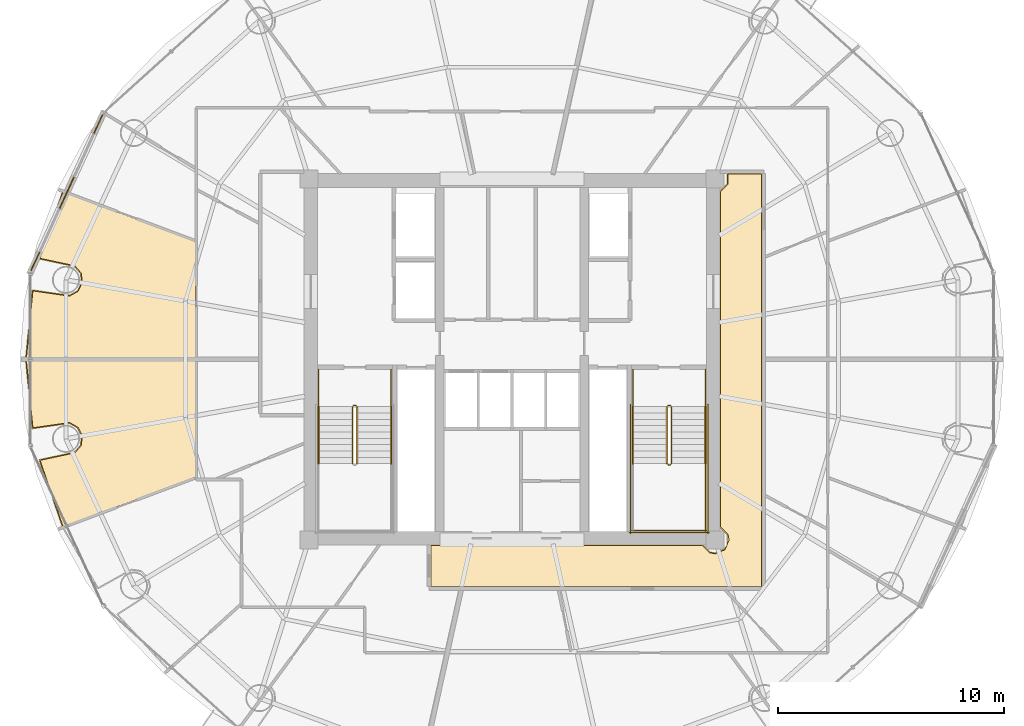
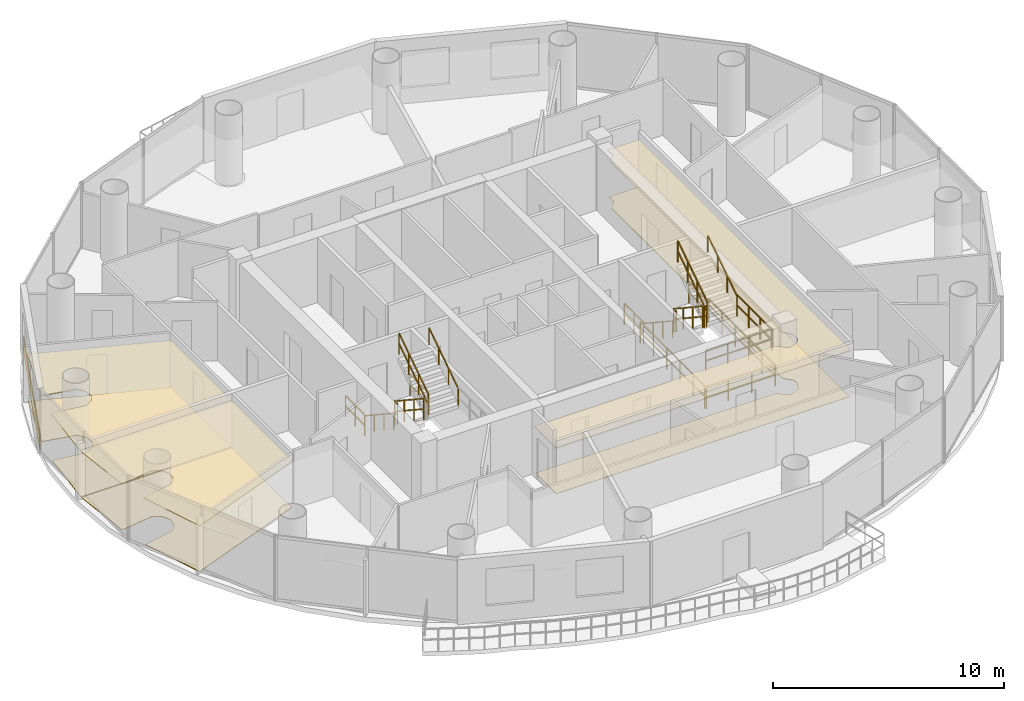
# One storey, part 25 of 26: 20 railings, 7 coverings.
"""IFC4 building model written with IfcOpenShell, lengths in metres."""

from ifc_helpers import new_model, si_unit, direction, frame, origin, origin_2d, place, context, subcontext, project, spatial, polyline, rectangle, outline, extrude, source, transform, mapped, material, layer, layer_set, type_object, element, save


model = new_model("IFC4")

# Units and contexts
model_context = context("Model", 3, precision=1e-05, world=origin(), true_north=direction((-0.2419218956, 0.970295726276)))
body_context = subcontext(model_context, "Body", "Model", "MODEL_VIEW")
ifc_project = project(units=[si_unit("LENGTHUNIT", "METRE"), si_unit("AREAUNIT", "SQUARE_METRE"), si_unit("VOLUMEUNIT", "CUBIC_METRE"), si_unit("PLANEANGLEUNIT", "RADIAN"), si_unit("MASSUNIT", "GRAM", prefix="KILO")], contexts=[model_context])

# Site, building, storey
site_placement = place(None, origin())
site = spatial("IfcSite", under=ifc_project, at=site_placement, CompositionType="ELEMENT")
building_placement = place(site_placement, origin())
building = spatial("IfcBuilding", under=site, at=building_placement, Name="Cobrevalo Terracotta Tower", CompositionType="ELEMENT")
storey_placement = place(building_placement, frame((0.0, 0.0, 217.10009765625)))
storey = spatial("IfcBuildingStorey", under=building, at=storey_placement, Name="L57", CompositionType="ELEMENT", Elevation=217.10009765625)

# Coverings
ifc_material_1 = material(Name="Engineered Brazilian hardwood flooring", Category="wood")
ifc_layer_1 = layer(ifc_material_1, 0.028076171875)
ifc_layer_set_1 = layer_set([ifc_layer_1], Name="Engineered Brazilian hardwood flooring")
covering_type_1 = type_object("IfcCoveringType", Name="Engineered Hardwood Suite Flooring 28", PredefinedType="FLOORING", material=ifc_layer_set_1)
covering_1_placement = place(storey_placement, origin())
element("IfcCovering", 1, at=covering_1_placement, inside=storey, type_object=covering_type_1, Name="Flat L57B Penthouse Family Lounge floor finish", PredefinedType="FLOORING", context=body_context, shape_type="SweptSolid", body=[
    extrude(outline(polyline([(23.985107421875, 32.024658203125), (23.985107421875, 26.820068359375), (16.4814453125, 26.820068359375), (16.7734375, 29.83056640625), (18.39599609375, 29.5986328125), (18.770751953125, 29.80859375), (18.9658203125, 30.191650390625), (18.9150390625, 30.6181640625), (18.635986328125, 30.94482421875), (17.09228515625, 31.277099609375), (18.114501953125, 34.221923828125), (23.985107421875, 32.024658203125)])), origin(), (0.0, 0.0, 1.0), 0.02978515625),
])
covering_2_placement = place(storey_placement, origin())
element("IfcCovering", 2, at=covering_2_placement, inside=storey, type_object=covering_type_1, Name="Flat L57C Living and Dining Room floor finish", PredefinedType="FLOORING", context=body_context, shape_type="SweptSolid", body=[
    extrude(outline(polyline([(18.114501953125, 19.3779296875), (17.09228515625, 22.322998046875), (18.635986328125, 22.655029296875), (18.9150390625, 22.981689453125), (18.9658203125, 23.408447265625), (18.770751953125, 23.791259765625), (18.39599609375, 24.00146484375), (16.7734375, 23.76953125), (16.4814453125, 26.780029296875), (23.985107421875, 26.780029296875), (23.985107421875, 21.575439453125), (18.114501953125, 19.3779296875)])), origin(), (0.0, 0.0, 1.0), 0.02978515625),
])
ifc_material_2 = material(Name="Honed terracotta and granite tile", Category="masonry")
ifc_layer_2 = layer(ifc_material_2, 0.034912109375)
ifc_layer_set_2 = layer_set([ifc_layer_2], Name="Honed terracotta and granite tile")
covering_type_2 = type_object("IfcCoveringType", Name="Honed Terracotta & Granite Interior Flooring 35", PredefinedType="FLOORING", material=ifc_layer_set_2)
covering_3_placement = place(storey_placement, origin())
element("IfcCovering", 3, at=covering_3_placement, inside=storey, type_object=covering_type_2, Name="L57 Residential Floor Corridor 1 floor finish", PredefinedType="FLOORING", context=body_context, shape_type="SweptSolid", body=[
    extrude(outline(polyline([(34.419921875, 18.554931640625), (46.431884765625, 18.554931640625), (46.7626953125, 18.226806640625), (47.0, 18.1796875), (47.438720703125, 18.361328125), (47.620361328125, 18.800048828125), (47.5732421875, 19.037353515625), (47.2451171875, 19.3681640625), (47.2451171875, 34.23193359375), (47.5732421875, 34.5625), (47.57958984375, 35.0048828125), (49.054931640625, 35.0048828125), (49.054931640625, 16.7451171875), (34.419921875, 16.7451171875), (34.419921875, 18.554931640625)])), origin(), (0.0, 0.0, 1.0), 0.02978515625),
])
ifc_material_3 = material(Name="Acoustic perforated gypsum ceiling", Category="gypsum")
ifc_layer_3 = layer(ifc_material_3, 0.050048828125)
ifc_layer_set_3 = layer_set([ifc_layer_3], Name="Acoustic perforated gypsum ceiling")
covering_type_3 = type_object("IfcCoveringType", Name="Perforated Acoustic Gypsum Ceiling 50", PredefinedType="CEILING", material=ifc_layer_set_3)
covering_4_placement = place(storey_placement, frame((0.0, 0.0, 2.44482421875)))
element("IfcCovering", 4, at=covering_4_placement, inside=storey, type_object=covering_type_3, Name="L57 Residential Floor Corridor 1 acoustic ceiling", PredefinedType="CEILING", context=body_context, shape_type="SweptSolid", body=[
    extrude(outline(polyline([(34.375, 18.60009765625), (46.4560546875, 18.60009765625), (46.780029296875, 18.269287109375), (47.0, 18.2255859375), (47.40625, 18.393798828125), (47.53076171875, 18.580078125), (47.53076171875, 19.019775390625), (47.199951171875, 19.343994140625), (47.199951171875, 34.255859375), (47.53076171875, 34.580078125), (47.524658203125, 35.050048828125), (49.10009765625, 35.050048828125), (49.10009765625, 16.699951171875), (34.375, 16.699951171875), (34.375, 18.60009765625)])), origin(), (0.0, 0.0, 1.0), 0.050048828125),
])
covering_5_placement = place(storey_placement, frame((0.0, 0.0, 2.44482421875)))
element("IfcCovering", 5, at=covering_5_placement, inside=storey, type_object=covering_type_3, Name="Flat L57B Penthouse Family Lounge acoustic ceiling", PredefinedType="CEILING", context=body_context, shape_type="SweptSolid", body=[
    extrude(outline(polyline([(24.030029296875, 32.055908203125), (24.030029296875, 26.77490234375), (16.43310546875, 26.77490234375), (16.73876953125, 29.88232421875), (18.386474609375, 29.642578125), (18.73828125, 29.83984375), (18.92138671875, 30.199462890625), (18.873779296875, 30.60009765625), (18.611572265625, 30.90673828125), (17.038330078125, 31.240966796875), (18.088134765625, 34.280029296875), (24.030029296875, 32.055908203125)])), origin(), (0.0, 0.0, 1.0), 0.050048828125),
])
covering_6_placement = place(storey_placement, frame((0.0, 0.0, 2.44482421875)))
element("IfcCovering", 6, at=covering_6_placement, inside=storey, type_object=covering_type_3, Name="Flat L57C Living and Dining Room acoustic ceiling", PredefinedType="CEILING", context=body_context, shape_type="SweptSolid", body=[
    extrude(outline(polyline([(18.088134765625, 19.320068359375), (17.038330078125, 22.359130859375), (18.611572265625, 22.693359375), (18.873779296875, 23.0), (18.92138671875, 23.400634765625), (18.73828125, 23.760009765625), (18.386474609375, 23.957275390625), (16.73876953125, 23.717529296875), (16.43310546875, 26.824951171875), (24.030029296875, 26.824951171875), (24.030029296875, 21.544189453125), (18.088134765625, 19.320068359375)])), origin(), (0.0, 0.0, 1.0), 0.050048828125),
])

# Railings
ifc_material_4 = material(Name="Brushed stainless steel", Category="steel")
railing_type_1 = type_object("IfcRailingType", Name="Stainless Steel Stair Handrail 900", PredefinedType="HANDRAIL", material=ifc_material_4)
railing_1_placement = place(storey_placement, frame((29.425048828125, 24.699951171875, 0.184814453125)))
element("IfcRailing", 7, at=railing_1_placement, inside=storey, type_object=railing_type_1, Name="L57 ST-1 stair handrail 1", PredefinedType="HANDRAIL", context=body_context, shape_type="SweptSolid", body=[
    extrude(rectangle(XDim=0.048095703125, YDim=0.048095703125, at=origin_2d()), frame((0.0, 0.0, 0.8759765625), z_axis=(0.0, -0.834331337432, 0.55126329406), x_axis=(1.0, 0.0, 0.0)), (0.0, 0.0, 1.0), 3.0205078125),
    extrude(rectangle(XDim=0.0419921875, YDim=0.0419921875, at=origin_2d()), origin(), (0.0, 0.0, 1.0), 0.851806640625),
    extrude(rectangle(XDim=0.0419921875, YDim=0.0419921875, at=origin_2d()), frame((0.0, -0.840087890625, 0.554931640625)), (0.0, 0.0, 1.0), 0.851806640625),
    extrude(rectangle(XDim=0.0419921875, YDim=0.0419921875, at=origin_2d()), frame((0.0, -1.679931640625, 1.110107421875)), (0.0, 0.0, 1.0), 0.851806640625),
    extrude(rectangle(XDim=0.0419921875, YDim=0.0419921875, at=origin_2d()), frame((0.0, -2.52001953125, 1.6650390625)), (0.0, 0.0, 1.0), 0.851806640625),
])
railing_2_placement = place(storey_placement, frame((32.64501953125, 22.179931640625, 2.034912109375)))
element("IfcRailing", 8, at=railing_2_placement, inside=storey, type_object=railing_type_1, Name="L57 ST-1 stair handrail 2", PredefinedType="HANDRAIL", context=body_context, shape_type="SweptSolid", body=[
    extrude(rectangle(XDim=0.048095703125, YDim=0.048095703125, at=origin_2d()), frame((0.0, 0.0, 0.8759765625), z_axis=(0.0, 0.834331337432, 0.55126329406), x_axis=(-1.0, 0.0, 0.0)), (0.0, 0.0, 1.0), 3.0205078125),
    extrude(rectangle(XDim=0.0419921875, YDim=0.0419921875, at=origin_2d()), origin(), (0.0, 0.0, 1.0), 0.851806640625),
    extrude(rectangle(XDim=0.0419921875, YDim=0.0419921875, at=origin_2d()), frame((0.0, 0.840087890625, 0.554931640625)), (0.0, 0.0, 1.0), 0.851806640625),
    extrude(rectangle(XDim=0.0419921875, YDim=0.0419921875, at=origin_2d()), frame((0.0, 1.679931640625, 1.110107421875)), (0.0, 0.0, 1.0), 0.851806640625),
    extrude(rectangle(XDim=0.0419921875, YDim=0.0419921875, at=origin_2d()), frame((0.0, 2.52001953125, 1.6650390625)), (0.0, 0.0, 1.0), 0.851806640625),
])
railing_3_placement = place(storey_placement, frame((43.35498046875, 24.699951171875, 0.184814453125)))
element("IfcRailing", 9, at=railing_3_placement, inside=storey, type_object=railing_type_1, Name="L57 ST-2 stair handrail 1", PredefinedType="HANDRAIL", context=body_context, shape_type="SweptSolid", body=[
    extrude(rectangle(XDim=0.048095703125, YDim=0.048095703125, at=origin_2d()), frame((0.0, 0.0, 0.8759765625), z_axis=(0.0, -0.834331337432, 0.55126329406), x_axis=(1.0, 0.0, 0.0)), (0.0, 0.0, 1.0), 3.0205078125),
    extrude(rectangle(XDim=0.0419921875, YDim=0.0419921875, at=origin_2d()), origin(), (0.0, 0.0, 1.0), 0.851806640625),
    extrude(rectangle(XDim=0.0419921875, YDim=0.0419921875, at=origin_2d()), frame((0.0, -0.840087890625, 0.554931640625)), (0.0, 0.0, 1.0), 0.851806640625),
    extrude(rectangle(XDim=0.0419921875, YDim=0.0419921875, at=origin_2d()), frame((0.0, -1.679931640625, 1.110107421875)), (0.0, 0.0, 1.0), 0.851806640625),
    extrude(rectangle(XDim=0.0419921875, YDim=0.0419921875, at=origin_2d()), frame((0.0, -2.52001953125, 1.6650390625)), (0.0, 0.0, 1.0), 0.851806640625),
])
railing_4_placement = place(storey_placement, frame((46.574951171875, 22.179931640625, 2.034912109375)))
element("IfcRailing", 10, at=railing_4_placement, inside=storey, type_object=railing_type_1, Name="L57 ST-2 stair handrail 2", PredefinedType="HANDRAIL", context=body_context, shape_type="SweptSolid", body=[
    extrude(rectangle(XDim=0.048095703125, YDim=0.048095703125, at=origin_2d()), frame((0.0, 0.0, 0.8759765625), z_axis=(0.0, 0.834331337432, 0.55126329406), x_axis=(-1.0, 0.0, 0.0)), (0.0, 0.0, 1.0), 3.0205078125),
    extrude(rectangle(XDim=0.0419921875, YDim=0.0419921875, at=origin_2d()), origin(), (0.0, 0.0, 1.0), 0.851806640625),
    extrude(rectangle(XDim=0.0419921875, YDim=0.0419921875, at=origin_2d()), frame((0.0, 0.840087890625, 0.554931640625)), (0.0, 0.0, 1.0), 0.851806640625),
    extrude(rectangle(XDim=0.0419921875, YDim=0.0419921875, at=origin_2d()), frame((0.0, 1.679931640625, 1.110107421875)), (0.0, 0.0, 1.0), 0.851806640625),
    extrude(rectangle(XDim=0.0419921875, YDim=0.0419921875, at=origin_2d()), frame((0.0, 2.52001953125, 1.6650390625)), (0.0, 0.0, 1.0), 0.851806640625),
])
ifc_material_5 = material(Name="Painted galvanized steel", Category="steel")
railing_type_2 = type_object("IfcRailingType", Name="Stair Well Guard Balustrade 1150", PredefinedType="GUARDRAIL", material=ifc_material_5)
railing_5_placement = place(storey_placement, frame((30.925048828125, 24.699951171875, 0.184814453125)))
element("IfcRailing", 11, at=railing_5_placement, inside=storey, type_object=railing_type_2, Name="L57 ST-1 stair guard 1", PredefinedType="GUARDRAIL", context=body_context, shape_type="SweptSolid", body=[
    extrude(rectangle(XDim=0.048095703125, YDim=0.048095703125, at=origin_2d()), frame((0.0, 0.0, 1.1259765625), z_axis=(0.0, -0.834331337432, 0.55126329406), x_axis=(1.0, 0.0, 0.0)), (0.0, 0.0, 1.0), 3.0205078125),
    extrude(rectangle(XDim=0.048095703125, YDim=0.048095703125, at=origin_2d()), frame((0.0, 0.0, 0.574951171875), z_axis=(0.0, -0.834331337432, 0.55126329406), x_axis=(1.0, 0.0, 0.0)), (0.0, 0.0, 1.0), 3.0205078125),
    extrude(rectangle(XDim=0.0419921875, YDim=0.0419921875, at=origin_2d()), origin(), (0.0, 0.0, 1.0), 1.101806640625),
    extrude(rectangle(XDim=0.0419921875, YDim=0.0419921875, at=origin_2d()), frame((0.0, -0.840087890625, 0.554931640625)), (0.0, 0.0, 1.0), 1.101806640625),
    extrude(rectangle(XDim=0.0419921875, YDim=0.0419921875, at=origin_2d()), frame((0.0, -1.679931640625, 1.110107421875)), (0.0, 0.0, 1.0), 1.101806640625),
    extrude(rectangle(XDim=0.0419921875, YDim=0.0419921875, at=origin_2d()), frame((0.0, -2.52001953125, 1.6650390625)), (0.0, 0.0, 1.0), 1.101806640625),
])
railing_6_placement = place(storey_placement, frame((31.14501953125, 22.179931640625, 2.034912109375)))
element("IfcRailing", 12, at=railing_6_placement, inside=storey, type_object=railing_type_2, Name="L57 ST-1 stair guard 6", PredefinedType="GUARDRAIL", context=body_context, shape_type="SweptSolid", body=[
    extrude(rectangle(XDim=0.048095703125, YDim=0.048095703125, at=origin_2d()), frame((0.0, 0.0, 1.1259765625), z_axis=(0.0, 0.834331337432, 0.55126329406), x_axis=(-1.0, 0.0, 0.0)), (0.0, 0.0, 1.0), 3.0205078125),
    extrude(rectangle(XDim=0.048095703125, YDim=0.048095703125, at=origin_2d()), frame((0.0, 0.0, 0.574951171875), z_axis=(0.0, 0.834331337432, 0.55126329406), x_axis=(-1.0, 0.0, 0.0)), (0.0, 0.0, 1.0), 3.0205078125),
    extrude(rectangle(XDim=0.0419921875, YDim=0.0419921875, at=origin_2d()), origin(), (0.0, 0.0, 1.0), 1.101806640625),
    extrude(rectangle(XDim=0.0419921875, YDim=0.0419921875, at=origin_2d()), frame((0.0, 0.840087890625, 0.554931640625)), (0.0, 0.0, 1.0), 1.101806640625),
    extrude(rectangle(XDim=0.0419921875, YDim=0.0419921875, at=origin_2d()), frame((0.0, 1.679931640625, 1.110107421875)), (0.0, 0.0, 1.0), 1.101806640625),
    extrude(rectangle(XDim=0.0419921875, YDim=0.0419921875, at=origin_2d()), frame((0.0, 2.52001953125, 1.6650390625)), (0.0, 0.0, 1.0), 1.101806640625),
])
railing_7_placement = place(storey_placement, frame((30.97509765625, 24.75, 0.0)))
element("IfcRailing", 13, at=railing_7_placement, inside=storey, type_object=railing_type_2, Name="L57 ST-1 stair guard 7", PredefinedType="GUARDRAIL", context=body_context, shape_type="SweptSolid", body=[
    extrude(rectangle(XDim=0.048095703125, YDim=0.048095703125, at=origin_2d()), frame((0.0, 0.0, 1.1259765625), z_axis=(1.0, 0.0, 0.0), x_axis=(0.0, 1.0, 0.0)), (0.0, 0.0, 1.0), 0.119873046875),
    extrude(rectangle(XDim=0.048095703125, YDim=0.048095703125, at=origin_2d()), frame((0.0, 0.0, 0.574951171875), z_axis=(1.0, 0.0, 0.0), x_axis=(0.0, 1.0, 0.0)), (0.0, 0.0, 1.0), 0.119873046875),
    extrude(rectangle(XDim=0.0419921875, YDim=0.0419921875, at=origin_2d()), origin(), (0.0, 0.0, 1.0), 1.101806640625),
    extrude(rectangle(XDim=0.0419921875, YDim=0.0419921875, at=origin_2d()), frame((0.119873046875, 0.0, 0.0)), (0.0, 0.0, 1.0), 1.101806640625),
])
for number, where, name in (
    (14, (29.425048828125, 26.35009765625, 0.0), "L57 ST-1 stair guard 8"),
    (15, (32.64501953125, 26.35009765625, 0.0), "L57 ST-1 stair guard 9"),
):
    element("IfcRailing", number, at=place(storey_placement, frame(where)), inside=storey, type_object=railing_type_2, Name=name, PredefinedType="GUARDRAIL", context=body_context, shape_type="SweptSolid", body=[
        extrude(rectangle(XDim=0.048095703125, YDim=0.048095703125, at=origin_2d()), frame((0.0, 0.0, 1.1259765625), z_axis=(0.0, -1.0, 0.0), x_axis=(1.0, 0.0, 0.0)), (0.0, 0.0, 1.0), 1.650146484375),
        extrude(rectangle(XDim=0.048095703125, YDim=0.048095703125, at=origin_2d()), frame((0.0, 0.0, 0.574951171875), z_axis=(0.0, -1.0, 0.0), x_axis=(1.0, 0.0, 0.0)), (0.0, 0.0, 1.0), 1.650146484375),
        extrude(rectangle(XDim=0.0419921875, YDim=0.0419921875, at=origin_2d()), origin(), (0.0, 0.0, 1.0), 1.101806640625),
        extrude(rectangle(XDim=0.0419921875, YDim=0.0419921875, at=origin_2d()), frame((0.0, -0.8251953125, 0.0)), (0.0, 0.0, 1.0), 1.101806640625),
        extrude(rectangle(XDim=0.0419921875, YDim=0.0419921875, at=origin_2d()), frame((0.0, -1.650146484375, 0.0)), (0.0, 0.0, 1.0), 1.101806640625),
    ])
railing_8_placement = place(storey_placement, frame((44.85498046875, 24.699951171875, 0.184814453125)))
element("IfcRailing", 16, at=railing_8_placement, inside=storey, type_object=railing_type_2, Name="L57 ST-2 stair guard 1", PredefinedType="GUARDRAIL", context=body_context, shape_type="SweptSolid", body=[
    extrude(rectangle(XDim=0.048095703125, YDim=0.048095703125, at=origin_2d()), frame((0.0, 0.0, 1.1259765625), z_axis=(0.0, -0.834331337432, 0.55126329406), x_axis=(1.0, 0.0, 0.0)), (0.0, 0.0, 1.0), 3.0205078125),
    extrude(rectangle(XDim=0.048095703125, YDim=0.048095703125, at=origin_2d()), frame((0.0, 0.0, 0.574951171875), z_axis=(0.0, -0.834331337432, 0.55126329406), x_axis=(1.0, 0.0, 0.0)), (0.0, 0.0, 1.0), 3.0205078125),
    extrude(rectangle(XDim=0.0419921875, YDim=0.0419921875, at=origin_2d()), origin(), (0.0, 0.0, 1.0), 1.101806640625),
    extrude(rectangle(XDim=0.0419921875, YDim=0.0419921875, at=origin_2d()), frame((0.0, -0.840087890625, 0.554931640625)), (0.0, 0.0, 1.0), 1.101806640625),
    extrude(rectangle(XDim=0.0419921875, YDim=0.0419921875, at=origin_2d()), frame((0.0, -1.679931640625, 1.110107421875)), (0.0, 0.0, 1.0), 1.101806640625),
    extrude(rectangle(XDim=0.0419921875, YDim=0.0419921875, at=origin_2d()), frame((0.0, -2.52001953125, 1.6650390625)), (0.0, 0.0, 1.0), 1.101806640625),
])
railing_9_placement = place(storey_placement, frame((44.905029296875, 22.1298828125, 1.849853515625)))
element("IfcRailing", 17, at=railing_9_placement, inside=storey, type_object=railing_type_2, Name="L57 ST-2 stair guard 2", PredefinedType="GUARDRAIL", context=body_context, shape_type="SweptSolid", body=[
    extrude(rectangle(XDim=0.048095703125, YDim=0.048095703125, at=origin_2d()), frame((0.0, 0.0, 1.1259765625), z_axis=(1.0, 0.0, 0.0), x_axis=(0.0, 1.0, 0.0)), (0.0, 0.0, 1.0), 0.119873046875),
    extrude(rectangle(XDim=0.048095703125, YDim=0.048095703125, at=origin_2d()), frame((0.0, 0.0, 0.574951171875), z_axis=(1.0, 0.0, 0.0), x_axis=(0.0, 1.0, 0.0)), (0.0, 0.0, 1.0), 0.119873046875),
    extrude(rectangle(XDim=0.0419921875, YDim=0.0419921875, at=origin_2d()), origin(), (0.0, 0.0, 1.0), 1.101806640625),
    extrude(rectangle(XDim=0.0419921875, YDim=0.0419921875, at=origin_2d()), frame((0.119873046875, 0.0, 0.0)), (0.0, 0.0, 1.0), 1.101806640625),
])
railing_10_placement = place(storey_placement, frame((46.574951171875, 22.179931640625, 1.849853515625)))
element("IfcRailing", 18, at=railing_10_placement, inside=storey, type_object=railing_type_2, Name="L57 ST-2 stair guard 4", PredefinedType="GUARDRAIL", context=body_context, shape_type="SweptSolid", body=[
    extrude(rectangle(XDim=0.048095703125, YDim=0.048095703125, at=origin_2d()), frame((0.0, 0.0, 1.1259765625), z_axis=(0.0, -1.0, 0.0), x_axis=(1.0, 0.0, 0.0)), (0.0, 0.0, 1.0), 3.0048828125),
    extrude(rectangle(XDim=0.048095703125, YDim=0.048095703125, at=origin_2d()), frame((0.0, 0.0, 0.574951171875), z_axis=(0.0, -1.0, 0.0), x_axis=(1.0, 0.0, 0.0)), (0.0, 0.0, 1.0), 3.0048828125),
    extrude(rectangle(XDim=0.0419921875, YDim=0.0419921875, at=origin_2d()), origin(), (0.0, 0.0, 1.0), 1.101806640625),
    extrude(rectangle(XDim=0.0419921875, YDim=0.0419921875, at=origin_2d()), frame((0.0, -1.001708984375, 0.0)), (0.0, 0.0, 1.0), 1.101806640625),
    extrude(rectangle(XDim=0.0419921875, YDim=0.0419921875, at=origin_2d()), frame((0.0, -2.003173828125, 0.0)), (0.0, 0.0, 1.0), 1.101806640625),
    extrude(rectangle(XDim=0.0419921875, YDim=0.0419921875, at=origin_2d()), frame((0.0, -3.0048828125, 0.0)), (0.0, 0.0, 1.0), 1.101806640625),
])
railing_11_placement = place(storey_placement, frame((43.304931640625, 19.22509765625, 1.849853515625)))
element("IfcRailing", 19, at=railing_11_placement, inside=storey, type_object=railing_type_2, Name="L57 ST-2 stair guard 5", PredefinedType="GUARDRAIL", context=body_context, shape_type="SweptSolid", body=[
    extrude(rectangle(XDim=0.048095703125, YDim=0.048095703125, at=origin_2d()), frame((0.0, 0.0, 1.1259765625), z_axis=(1.0, 0.0, 0.0), x_axis=(0.0, 1.0, 0.0)), (0.0, 0.0, 1.0), 3.320068359375),
    extrude(rectangle(XDim=0.048095703125, YDim=0.048095703125, at=origin_2d()), frame((0.0, 0.0, 0.574951171875), z_axis=(1.0, 0.0, 0.0), x_axis=(0.0, 1.0, 0.0)), (0.0, 0.0, 1.0), 3.320068359375),
    extrude(rectangle(XDim=0.0419921875, YDim=0.0419921875, at=origin_2d()), origin(), (0.0, 0.0, 1.0), 1.101806640625),
    extrude(rectangle(XDim=0.0419921875, YDim=0.0419921875, at=origin_2d()), frame((1.106689453125, 0.0, 0.0)), (0.0, 0.0, 1.0), 1.101806640625),
    extrude(rectangle(XDim=0.0419921875, YDim=0.0419921875, at=origin_2d()), frame((2.21337890625, 0.0, 0.0)), (0.0, 0.0, 1.0), 1.101806640625),
    extrude(rectangle(XDim=0.0419921875, YDim=0.0419921875, at=origin_2d()), frame((3.320068359375, 0.0, 0.0)), (0.0, 0.0, 1.0), 1.101806640625),
])
railing_12_placement = place(storey_placement, frame((45.074951171875, 22.179931640625, 2.034912109375)))
element("IfcRailing", 20, at=railing_12_placement, inside=storey, type_object=railing_type_2, Name="L57 ST-2 stair guard 6", PredefinedType="GUARDRAIL", context=body_context, shape_type="SweptSolid", body=[
    extrude(rectangle(XDim=0.048095703125, YDim=0.048095703125, at=origin_2d()), frame((0.0, 0.0, 1.1259765625), z_axis=(0.0, 0.834331337432, 0.55126329406), x_axis=(-1.0, 0.0, 0.0)), (0.0, 0.0, 1.0), 3.0205078125),
    extrude(rectangle(XDim=0.048095703125, YDim=0.048095703125, at=origin_2d()), frame((0.0, 0.0, 0.574951171875), z_axis=(0.0, 0.834331337432, 0.55126329406), x_axis=(-1.0, 0.0, 0.0)), (0.0, 0.0, 1.0), 3.0205078125),
    extrude(rectangle(XDim=0.0419921875, YDim=0.0419921875, at=origin_2d()), origin(), (0.0, 0.0, 1.0), 1.101806640625),
    extrude(rectangle(XDim=0.0419921875, YDim=0.0419921875, at=origin_2d()), frame((0.0, 0.840087890625, 0.554931640625)), (0.0, 0.0, 1.0), 1.101806640625),
    extrude(rectangle(XDim=0.0419921875, YDim=0.0419921875, at=origin_2d()), frame((0.0, 1.679931640625, 1.110107421875)), (0.0, 0.0, 1.0), 1.101806640625),
    extrude(rectangle(XDim=0.0419921875, YDim=0.0419921875, at=origin_2d()), frame((0.0, 2.52001953125, 1.6650390625)), (0.0, 0.0, 1.0), 1.101806640625),
])
railing_13_placement = place(storey_placement, frame((44.905029296875, 24.75, 0.0)))
element("IfcRailing", 21, at=railing_13_placement, inside=storey, type_object=railing_type_2, Name="L57 ST-2 stair guard 7", PredefinedType="GUARDRAIL", context=body_context, shape_type="SweptSolid", body=[
    extrude(rectangle(XDim=0.048095703125, YDim=0.048095703125, at=origin_2d()), frame((0.0, 0.0, 1.1259765625), z_axis=(1.0, 0.0, 0.0), x_axis=(0.0, 1.0, 0.0)), (0.0, 0.0, 1.0), 0.119873046875),
    extrude(rectangle(XDim=0.048095703125, YDim=0.048095703125, at=origin_2d()), frame((0.0, 0.0, 0.574951171875), z_axis=(1.0, 0.0, 0.0), x_axis=(0.0, 1.0, 0.0)), (0.0, 0.0, 1.0), 0.119873046875),
    extrude(rectangle(XDim=0.0419921875, YDim=0.0419921875, at=origin_2d()), origin(), (0.0, 0.0, 1.0), 1.101806640625),
    extrude(rectangle(XDim=0.0419921875, YDim=0.0419921875, at=origin_2d()), frame((0.119873046875, 0.0, 0.0)), (0.0, 0.0, 1.0), 1.101806640625),
])
for number, where, name in (
    (22, (43.35498046875, 26.35009765625, 0.0), "L57 ST-2 stair guard 8"),
    (23, (46.574951171875, 26.35009765625, 0.0), "L57 ST-2 stair guard 9"),
):
    element("IfcRailing", number, at=place(storey_placement, frame(where)), inside=storey, type_object=railing_type_2, Name=name, PredefinedType="GUARDRAIL", context=body_context, shape_type="SweptSolid", body=[
        extrude(rectangle(XDim=0.048095703125, YDim=0.048095703125, at=origin_2d()), frame((0.0, 0.0, 1.1259765625), z_axis=(0.0, -1.0, 0.0), x_axis=(1.0, 0.0, 0.0)), (0.0, 0.0, 1.0), 1.650146484375),
        extrude(rectangle(XDim=0.048095703125, YDim=0.048095703125, at=origin_2d()), frame((0.0, 0.0, 0.574951171875), z_axis=(0.0, -1.0, 0.0), x_axis=(1.0, 0.0, 0.0)), (0.0, 0.0, 1.0), 1.650146484375),
        extrude(rectangle(XDim=0.0419921875, YDim=0.0419921875, at=origin_2d()), origin(), (0.0, 0.0, 1.0), 1.101806640625),
        extrude(rectangle(XDim=0.0419921875, YDim=0.0419921875, at=origin_2d()), frame((0.0, -0.8251953125, 0.0)), (0.0, 0.0, 1.0), 1.101806640625),
        extrude(rectangle(XDim=0.0419921875, YDim=0.0419921875, at=origin_2d()), frame((0.0, -1.650146484375, 0.0)), (0.0, 0.0, 1.0), 1.101806640625),
    ])
for number, where, name in (
    (24, (43.2548828125, 24.800048828125, 0.0), "L57 ST-2 stair guard 10"),
    (25, (46.675048828125, 24.800048828125, 0.0), "L57 ST-2 stair guard 11"),
):
    element("IfcRailing", number, at=place(storey_placement, frame(where)), inside=storey, type_object=railing_type_2, Name=name, PredefinedType="GUARDRAIL", context=body_context, shape_type="SweptSolid", body=[
        extrude(rectangle(XDim=0.048095703125, YDim=0.048095703125, at=origin_2d()), frame((0.0, 0.0, 1.1259765625), z_axis=(0.0, -1.0, 0.0), x_axis=(1.0, 0.0, 0.0)), (0.0, 0.0, 1.0), 5.72509765625),
        extrude(rectangle(XDim=0.048095703125, YDim=0.048095703125, at=origin_2d()), frame((0.0, 0.0, 0.574951171875), z_axis=(0.0, -1.0, 0.0), x_axis=(1.0, 0.0, 0.0)), (0.0, 0.0, 1.0), 5.72509765625),
        extrude(rectangle(XDim=0.0419921875, YDim=0.0419921875, at=origin_2d()), origin(), (0.0, 0.0, 1.0), 1.101806640625),
        extrude(rectangle(XDim=0.0419921875, YDim=0.0419921875, at=origin_2d()), frame((0.0, -1.14501953125, 0.0)), (0.0, 0.0, 1.0), 1.101806640625),
        extrude(rectangle(XDim=0.0419921875, YDim=0.0419921875, at=origin_2d()), frame((0.0, -2.2900390625, 0.0)), (0.0, 0.0, 1.0), 1.101806640625),
        extrude(rectangle(XDim=0.0419921875, YDim=0.0419921875, at=origin_2d()), frame((0.0, -3.43505859375, 0.0)), (0.0, 0.0, 1.0), 1.101806640625),
        extrude(rectangle(XDim=0.0419921875, YDim=0.0419921875, at=origin_2d()), frame((0.0, -4.580078125, 0.0)), (0.0, 0.0, 1.0), 1.101806640625),
        extrude(rectangle(XDim=0.0419921875, YDim=0.0419921875, at=origin_2d()), frame((0.0, -5.72509765625, 0.0)), (0.0, 0.0, 1.0), 1.101806640625),
    ])
railing_14_placement = place(storey_placement, frame((43.205078125, 19.125, 0.0)))
element("IfcRailing", 26, at=railing_14_placement, inside=storey, type_object=railing_type_2, Name="L57 ST-2 stair guard 12", PredefinedType="GUARDRAIL", context=body_context, shape_type="SweptSolid", body=[
    extrude(rectangle(XDim=0.048095703125, YDim=0.048095703125, at=origin_2d()), frame((0.0, 0.0, 1.1259765625), z_axis=(1.0, 0.0, 0.0), x_axis=(0.0, 1.0, 0.0)), (0.0, 0.0, 1.0), 3.52001953125),
    extrude(rectangle(XDim=0.048095703125, YDim=0.048095703125, at=origin_2d()), frame((0.0, 0.0, 0.574951171875), z_axis=(1.0, 0.0, 0.0), x_axis=(0.0, 1.0, 0.0)), (0.0, 0.0, 1.0), 3.52001953125),
    extrude(rectangle(XDim=0.0419921875, YDim=0.0419921875, at=origin_2d()), origin(), (0.0, 0.0, 1.0), 1.101806640625),
    extrude(rectangle(XDim=0.0419921875, YDim=0.0419921875, at=origin_2d()), frame((1.17333984375, 0.0, 0.0)), (0.0, 0.0, 1.0), 1.101806640625),
    extrude(rectangle(XDim=0.0419921875, YDim=0.0419921875, at=origin_2d()), frame((2.3466796875, 0.0, 0.0)), (0.0, 0.0, 1.0), 1.101806640625),
    extrude(rectangle(XDim=0.0419921875, YDim=0.0419921875, at=origin_2d()), frame((3.52001953125, 0.0, 0.0)), (0.0, 0.0, 1.0), 1.101806640625),
])

# Covering
ifc_material_6 = material(Name="Glazed terracotta facade cladding tile", Category="masonry")
ifc_layer_4 = layer(ifc_material_6, 0.044921875)
ifc_layer_set_4 = layer_set([ifc_layer_4], Name="Glazed terracotta facade cladding tile")
covering_type_4 = type_object("IfcCoveringType", Name="Architectural terracotta rainscreen spandrel cladding 45 mm", PredefinedType="CLADDING", material=ifc_layer_set_4)
shared_shape = source(origin(), body_context, "Body", "SweptSolid", [
    extrude(rectangle(XDim=7.60009765625, YDim=0.044921875, at=origin_2d()), origin(), (0.0, 0.0, 1.0), 0.760009765625),
])
covering_7_placement = place(storey_placement, frame((18.273681640625, 34.182861328125, 0.0400390625), z_axis=(0.0, 0.0, 1.0), x_axis=(-0.416731425355, -0.909029657999, 0.0)))
element("IfcCovering", 27, at=covering_7_placement, inside=storey, type_object=covering_type_4, Name="L57 terracotta spandrel cladding S07", PredefinedType="CLADDING", context=body_context, shape_type="MappedRepresentation", body=[
    mapped(shared_shape, transform((0.0, 0.0, 0.0), scale=1.0)),
])

save(model, "model.ifc")
